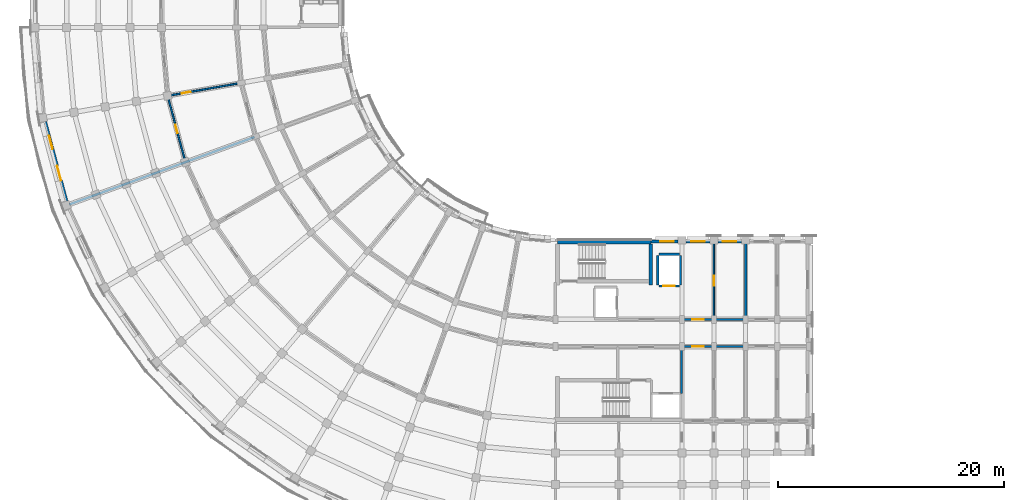
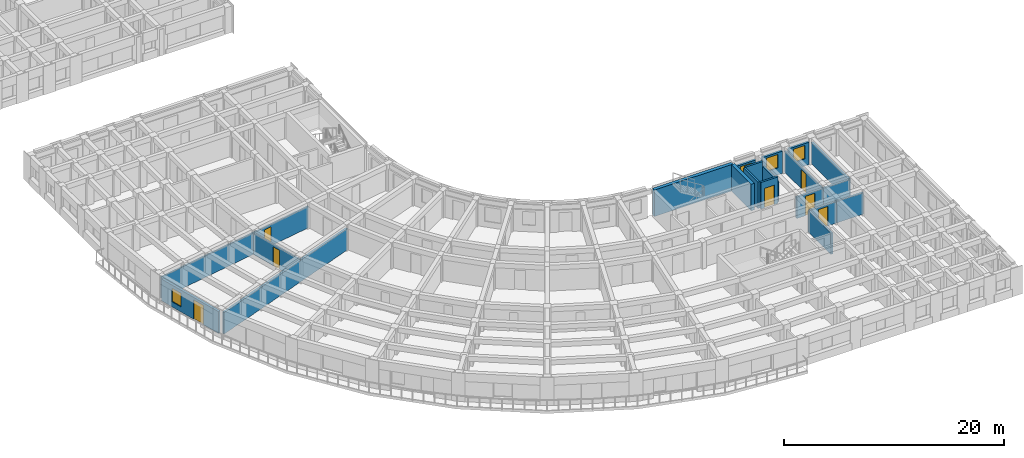
# One storey, part 18 of 57: 20 walls, 7 doors, 4 windows, 11 openings.
"""IFC4 building model written with IfcOpenShell, lengths in metres."""

import ifcopenshell
import ifcopenshell.guid

model = None  # the IFC model being written
_history = None  # IfcOwnerHistory: only IFC2X3 demands one
_inside = {}  # id of a spatial element -> (the spatial element, [elements in it])
_under = {}  # id of a project, library or spatial element -> (it, [spatial elements below it])
_declared = {}  # id of a project -> (the project, [libraries it declares])
_typed = {}  # id of a type object -> (the type object, [elements of that type])
_made_of = {}  # id of a material, layer set ... -> (it, [elements and type objects made of it])


def new_model(schema):
    """Start an empty IFC model of exactly this schema.

    Asked for "IFC4X3", IfcOpenShell would pick the latest addendum, in which some entities
    have other attributes; the version numbers below select the first issue.
    IFC2X3 requires an IfcOwnerHistory on every rooted entity: one is made here for all.
    """
    global model, _history
    if schema == "IFC4X3":
        model = ifcopenshell.file(schema_version=(4, 3, 0, 0))
    else:
        model = ifcopenshell.file(schema=schema)
    _inside.clear()
    _under.clear()
    _declared.clear()
    _typed.clear()
    _made_of.clear()
    _history = None
    if model.schema == "IFC2X3":
        org = make("IfcOrganization", Name="unknown")
        user = make(
            "IfcPersonAndOrganization",
            ThePerson=make("IfcPerson", FamilyName="unknown"),
            TheOrganization=org,
        )
        app = make(
            "IfcApplication",
            ApplicationDeveloper=org,
            Version="unknown",
            ApplicationFullName="unknown",
            ApplicationIdentifier="unknown",
        )
        _history = make(
            "IfcOwnerHistory",
            OwningUser=user,
            OwningApplication=app,
            ChangeAction="ADDED",
            CreationDate=0,
        )
    return model


def make(cls, **values):
    """One entity of the class cls with the attributes given. An attribute that is None is left unset."""
    return model.create_entity(
        cls, **{name: value for name, value in values.items() if value is not None}
    )


def rooted(cls, **values):
    """An entity with a GlobalId (a new one), such as an element, a storey or a relation."""
    return make(cls, GlobalId=ifcopenshell.guid.new(), OwnerHistory=_history, **values)


def si_unit(unit_type, name, prefix=None):
    """IfcSIUnit, for example si_unit("LENGTHUNIT", "METRE", prefix="MILLI")."""
    return make("IfcSIUnit", UnitType=unit_type, Prefix=prefix, Name=name)


def assignment(units):
    """IfcUnitAssignment: the units of a project."""
    return None if units is None else make("IfcUnitAssignment", Units=units)


def point(xyz):
    """IfcCartesianPoint."""
    return None if xyz is None else make("IfcCartesianPoint", Coordinates=xyz)


def direction(xyz):
    """IfcDirection."""
    return None if xyz is None else make("IfcDirection", DirectionRatios=xyz)


def frame(location, z_axis=None, x_axis=None):
    """IfcAxis2Placement3D, a coordinate frame: its origin and axes. An axis left out is left unset."""
    return make(
        "IfcAxis2Placement3D",
        Location=point(location),
        Axis=direction(z_axis),
        RefDirection=direction(x_axis),
    )


def frame_2d(location, x_axis=None):
    """IfcAxis2Placement2D, a coordinate frame in the plane: its origin and x axis."""
    return make(
        "IfcAxis2Placement2D", Location=point(location), RefDirection=direction(x_axis)
    )


def origin():
    """The frame at (0, 0, 0) with its axes left unset."""
    return frame((0.0, 0.0, 0.0))


def place(relative_to, where):
    """IfcLocalPlacement: puts the frame where relative to a parent placement (None: the world)."""
    return make(
        "IfcLocalPlacement", PlacementRelTo=relative_to, RelativePlacement=where
    )


def context(
    kind, dimensions, precision=None, world=None, true_north=None, identifier=None
):
    """IfcGeometricRepresentationContext, for example the 3D "Model" context."""
    return make(
        "IfcGeometricRepresentationContext",
        ContextIdentifier=identifier,
        ContextType=kind,
        CoordinateSpaceDimension=dimensions,
        Precision=precision,
        WorldCoordinateSystem=world,
        TrueNorth=true_north,
    )


def subcontext(parent, identifier, kind, view, scale=None):
    """IfcGeometricRepresentationSubContext, for example "Body" below "Model"."""
    return make(
        "IfcGeometricRepresentationSubContext",
        ContextIdentifier=identifier,
        ContextType=kind,
        ParentContext=parent,
        TargetScale=scale,
        TargetView=view,
    )


def project(units=None, contexts=None):
    """IfcProject with its units and contexts."""
    return rooted(
        "IfcProject",
        Name="project",
        RepresentationContexts=contexts,
        UnitsInContext=assignment(units),
    )


def spatial(cls, under=None, at=None, **own):
    """A site, building, storey or space (cls), placed at a placement, below another one or the project."""
    s = rooted(cls, ObjectPlacement=at, **own)
    if under is not None:
        _under.setdefault(under.id(), (under, []))[1].append(s)
    return s


def profile(cls, at=None, kind="AREA", **sizes):
    """A parametric profile (cls). Its sizes go by their IFC names, for example OverallWidth=200.0."""
    return make(cls, ProfileType=kind, Position=at, **sizes)


def rectangle(**sizes):
    """IfcRectangleProfileDef."""
    return profile("IfcRectangleProfileDef", **sizes)


def extrude(swept, where, along, depth):
    """IfcExtrudedAreaSolid: the profile swept, set in the frame where, extruded along a direction by depth."""
    return make(
        "IfcExtrudedAreaSolid",
        SweptArea=swept,
        Position=where,
        ExtrudedDirection=direction(along),
        Depth=depth,
    )


def shape(context_of_items, identifier, shape_type, items):
    """IfcShapeRepresentation: the items that make up one representation, for example the "Body"."""
    return make(
        "IfcShapeRepresentation",
        ContextOfItems=context_of_items,
        RepresentationIdentifier=identifier,
        RepresentationType=shape_type,
        Items=items,
    )


def material(Name=None, Category=None):
    """IfcMaterial."""
    return make("IfcMaterial", Name=Name, Category=Category)


def layer(
    of_material, thickness, ventilated=None, Name=None, Category=None, Priority=None
):
    """IfcMaterialLayer: one layer of a wall or slab, of a material (None: an air gap)."""
    return make(
        "IfcMaterialLayer",
        Material=of_material,
        LayerThickness=thickness,
        IsVentilated=ventilated,
        Name=Name,
        Category=Category,
        Priority=Priority,
    )


def layer_set(layers, Name=None):
    """IfcMaterialLayerSet."""
    return make("IfcMaterialLayerSet", MaterialLayers=layers, LayerSetName=Name)


def made_of(thing, what):
    """Note that an element or type object is made of a material, layer set ...; save() writes the relation."""
    if what is not None:
        _made_of.setdefault(what.id(), (what, []))[1].append(thing)
    return thing


def type_object(cls, material=None, **own):
    """A type object (cls), such as IfcWallType, which elements share."""
    return made_of(rooted(cls, **own), material)


def element(
    cls,
    number,
    at=None,
    inside=None,
    cuts=None,
    type_object=None,
    material=None,
    context=None,
    identifier="Body",
    shape_type=None,
    held_by="IfcProductDefinitionShape",
    body=None,
    shapes=None,
    **own,
):
    """One element of the class cls, such as IfcWall. Its Tag is "e" and its number.

    at: its placement. inside: the storey or other place that contains it. cuts: it is an
    opening in that element (IfcRelVoidsElement). A single representation is given by context,
    identifier, shape_type and body (its items); several are given by shapes. held_by: the class
    of the entity that holds the representations. save() writes the other relations.
    """
    e = rooted(cls, Tag="e%d" % number, ObjectPlacement=at, **own)
    if body is not None:
        shapes = [shape(context, identifier, shape_type, body)]
    if shapes is not None:
        e.Representation = make(held_by, Representations=shapes)
    if inside is not None:
        _inside.setdefault(inside.id(), (inside, []))[1].append(e)
    if cuts is not None:
        rooted(
            "IfcRelVoidsElement", RelatingBuildingElement=cuts, RelatedOpeningElement=e
        )
    if type_object is not None:
        _typed.setdefault(type_object.id(), (type_object, []))[1].append(e)
    return made_of(e, material)


def fill(opening, filler):
    """IfcRelFillsElement: the door or window that sits in an opening."""
    return rooted(
        "IfcRelFillsElement",
        RelatingOpeningElement=opening,
        RelatedBuildingElement=filler,
    )


def aggregate(whole, parts):
    """IfcRelAggregates: a whole, such as a stair, and the parts it consists of."""
    return rooted("IfcRelAggregates", RelatingObject=whole, RelatedObjects=parts)


def save(model, path):
    """Write the relations noted so far, then the file.

    IfcRelAggregates (storeys below a building ...), IfcRelContainedInSpatialStructure (elements
    in a storey), IfcRelDefinesByType, IfcRelAssociatesMaterial and IfcRelDeclares: one each for
    every whole, place, type object, material and project.
    """
    for whole, parts in _under.values():
        aggregate(whole, parts)
    for where, things in _inside.values():
        rooted(
            "IfcRelContainedInSpatialStructure",
            RelatedElements=things,
            RelatingStructure=where,
        )
    for kind, things in _typed.values():
        rooted("IfcRelDefinesByType", RelatedObjects=things, RelatingType=kind)
    for what, things in _made_of.values():
        rooted("IfcRelAssociatesMaterial", RelatedObjects=things, RelatingMaterial=what)
    for by, libraries in _declared.values():
        rooted("IfcRelDeclares", RelatingContext=by, RelatedDefinitions=libraries)
    model.write(path)


model = new_model("IFC4")

# Units and contexts
model_context = context("Model", 3, precision=1e-05, world=origin(), true_north=direction((0.0, 1.0)))
body_context = subcontext(model_context, "Body", "Model", "MODEL_VIEW")
ifc_project = project(units=[si_unit("LENGTHUNIT", "METRE"), si_unit("AREAUNIT", "SQUARE_METRE"), si_unit("VOLUMEUNIT", "CUBIC_METRE"), si_unit("PLANEANGLEUNIT", "RADIAN"), si_unit("MASSUNIT", "GRAM", prefix="KILO")], contexts=[model_context])

# Site, building, storey
site_placement = place(None, origin())
site = spatial("IfcSite", under=ifc_project, at=site_placement, CompositionType="ELEMENT")
building_placement = place(site_placement, origin())
building = spatial("IfcBuilding", under=site, at=building_placement, Name="Kiranvali Square Residences", CompositionType="ELEMENT")
storey_placement = place(building_placement, frame((0.0, 0.0, 18.14990234375)))
storey = spatial("IfcBuildingStorey", under=building, at=storey_placement, Name="L05", CompositionType="ELEMENT", Elevation=18.14990234375)

# Wall, opening, door
ifc_material_1 = material(Name="Autoclaved aerated concrete blockwork masonry", Category="masonry")
ifc_layer_1 = layer(ifc_material_1, 0.199951171875)
ifc_layer_set_1 = layer_set([ifc_layer_1], Name="Autoclaved aerated concrete blockwork masonry")
wall_type_1 = type_object("IfcWallType", Name="WL-COR-200", PredefinedType="STANDARD", material=ifc_layer_set_1)
wall_1_placement = place(storey_placement, frame((59.39990234375, 22.39990234375, 0.0), z_axis=(0.0, 0.0, 1.0), x_axis=(1.0, 0.0, 0.0)))
wall_1 = element("IfcWall", 1, at=wall_1_placement, inside=storey, type_object=wall_type_1, Name="L05 architectural wall WL-L05-C-A1CI-0", PredefinedType="STANDARD", context=body_context, shape_type="SweptSolid", body=[
    extrude(rectangle(XDim=2.800048828125, YDim=0.199951171875, at=frame_2d((1.39990234375, 0.0))), origin(), (0.0, 0.0, 1.0), 2.3720703125),
])
opening_1_placement = place(wall_1_placement, frame((0.89990234375, 0.0, 0.0)))
opening_1 = element("IfcOpeningElement", 2, at=opening_1_placement, cuts=wall_1, Name="Opening FD-APT-60", PredefinedType="OPENING", context=body_context, shape_type="SweptSolid", body=[
    extrude(rectangle(XDim=1.0, YDim=2.14990234375, at=frame_2d((0.5, 1.074951171875))), frame((0.0, 0.10986328125, 0.0), z_axis=(0.0, -1.0, 0.0), x_axis=(1.0, 0.0, 0.0)), (0.0, 0.0, 1.0), 0.219970703125),
])
ifc_material_2 = material(Name="Fire-rated acoustic hardwood and mineral-core door assembly", Category="wood")
door_type_1 = type_object("IfcDoorType", Name="DR-APT-1000", OperationType="NOTDEFINED", PredefinedType="DOOR", material=ifc_material_2)
door_1_placement = place(opening_1_placement, frame((1.0, 0.0, 0.0), z_axis=(0.0, 0.0, 1.0), x_axis=(-1.0, 0.0, 0.0)))
door_1 = element("IfcDoor", 3, at=door_1_placement, inside=storey, type_object=door_type_1, Name="L05 door DR-L05-2032 (DR-APT-1000)", OperationType="SINGLE_SWING_RIGHT", OverallHeight=2.14990234375, OverallWidth=1.0, PredefinedType="DOOR", context=body_context, shape_type="SweptSolid", body=[
    extrude(rectangle(XDim=1.0, YDim=2.14990234375, at=frame_2d((0.5, 1.074951171875))), frame((0.0, 0.02490234375, 0.0), z_axis=(0.0, -1.0, 0.0), x_axis=(1.0, 0.0, 0.0)), (0.0, 0.0, 1.0), 0.050048828125),
])
fill(opening_1, door_1)

wall_2_placement = place(storey_placement, frame((59.39990234375, 20.0, 0.0), z_axis=(0.0, 0.0, 1.0), x_axis=(1.0, 0.0, 0.0)))
wall_2 = element("IfcWall", 4, at=wall_2_placement, inside=storey, type_object=wall_type_1, Name="L05 architectural wall WL-L05-C-A1CO-0", PredefinedType="STANDARD", context=body_context, shape_type="SweptSolid", body=[
    extrude(rectangle(XDim=2.800048828125, YDim=0.199951171875, at=frame_2d((1.39990234375, 0.0))), origin(), (0.0, 0.0, 1.0), 2.3720703125),
])
opening_2_placement = place(wall_2_placement, frame((0.89990234375, 0.0, 0.0)))
opening_2 = element("IfcOpeningElement", 5, at=opening_2_placement, cuts=wall_2, Name="Opening FD-APT-60", PredefinedType="OPENING", context=body_context, shape_type="SweptSolid", body=[
    extrude(rectangle(XDim=1.0, YDim=2.14990234375, at=frame_2d((0.5, 1.074951171875))), frame((0.0, 0.10986328125, 0.0), z_axis=(0.0, -1.0, 0.0), x_axis=(1.0, 0.0, 0.0)), (0.0, 0.0, 1.0), 0.219970703125),
])
door_2_placement = place(opening_2_placement, frame((1.0, 0.0, 0.0), z_axis=(0.0, 0.0, 1.0), x_axis=(-1.0, 0.0, 0.0)))
door_2 = element("IfcDoor", 6, at=door_2_placement, inside=storey, type_object=door_type_1, Name="L05 door DR-L05-2034 (DR-APT-1000)", OperationType="SINGLE_SWING_RIGHT", OverallHeight=2.14990234375, OverallWidth=1.0, PredefinedType="DOOR", context=body_context, shape_type="SweptSolid", body=[
    extrude(rectangle(XDim=1.0, YDim=2.14990234375, at=frame_2d((0.5, 1.074951171875))), frame((0.0, 0.02490234375, 0.0), z_axis=(0.0, -1.0, 0.0), x_axis=(1.0, 0.0, 0.0)), (0.0, 0.0, 1.0), 0.050048828125),
])
fill(opening_2, door_2)

# Walls
for number, where, z_axis, x_axis, name in (
    (7, (62.199951171875, 22.39990234375, 0.0), (0.0, 0.0, 1.0), (1.0, 0.0, 0.0), "L05 architectural wall WL-L05-C-A1CI-1"),
    (8, (62.199951171875, 20.0, 0.0), (0.0, 0.0, 1.0), (1.0, 0.0, 0.0), "L05 architectural wall WL-L05-C-A1CO-1"),
):
    element("IfcWall", number, at=place(storey_placement, frame(where, z_axis=z_axis, x_axis=x_axis)), inside=storey, type_object=wall_type_1, Name=name, PredefinedType="STANDARD", context=body_context, shape_type="SweptSolid", body=[
        extrude(rectangle(XDim=2.800048828125, YDim=0.199951171875, at=frame_2d((1.39990234375, 0.0))), origin(), (0.0, 0.0, 1.0), 2.3720703125),
    ])
ifc_layer_2 = layer(ifc_material_1, 0.219970703125)
ifc_layer_set_2 = layer_set([ifc_layer_2], Name="Autoclaved aerated concrete blockwork masonry")
wall_type_2 = type_object("IfcWallType", Name="WL-DEM-220", PredefinedType="STANDARD", material=ifc_layer_set_2)
wall_3_placement = place(storey_placement, frame((65.0, 29.199951171875, 0.0), z_axis=(0.0, 0.0, 1.0), x_axis=(0.0, -1.0, 0.0)))
element("IfcWall", 9, at=wall_3_placement, inside=storey, type_object=wall_type_2, Name="L05 architectural wall WL-L05-C-A1TI-2", PredefinedType="STANDARD", context=body_context, shape_type="SweptSolid", body=[
    extrude(rectangle(XDim=6.75, YDim=0.219970703125, at=frame_2d((3.375, 0.0))), origin(), (0.0, 0.0, 1.0), 2.3720703125),
])
wall_4_placement = place(storey_placement, frame((21.606689453125, 38.520751953125, 0.0), z_axis=(0.0, 0.0, 1.0), x_axis=(-0.939691901159, -0.342022120477, 0.0)))
element("IfcWall", 10, at=wall_4_placement, inside=storey, type_object=wall_type_2, Name="L05 architectural wall WL-L05-C-RADO-7", PredefinedType="STANDARD", context=body_context, shape_type="SweptSolid", body=[
    extrude(rectangle(XDim=17.419921875, YDim=0.219970703125, at=frame_2d((8.7099609375, 0.0))), origin(), (0.0, 0.0, 1.0), 2.3720703125),
])

# Wall, openings, door, window
ifc_material_3 = material(Name="Breathable lime-rendered clay brick masonry", Category="masonry")
ifc_layer_3 = layer(ifc_material_3, 0.25)
ifc_layer_set_3 = layer_set([ifc_layer_3], Name="Breathable lime-rendered clay brick masonry")
wall_type_3 = type_object("IfcWallType", Name="WL-EXT-250", PredefinedType="STANDARD", material=ifc_layer_set_3)
wall_5_placement = place(storey_placement, frame((4.99755859375, 32.862548828125, 0.0), z_axis=(0.0, 0.0, 1.0), x_axis=(-0.258802140196, 0.965930355787, 0.0)))
wall_5 = element("IfcWall", 11, at=wall_5_placement, inside=storey, type_object=wall_type_3, Name="L05 exterior wall C-L05-CRV-07", PredefinedType="STANDARD", context=body_context, shape_type="SweptSolid", body=[
    extrude(rectangle(XDim=7.2666015625, YDim=0.25, at=frame_2d((3.63330078125, 0.0))), origin(), (0.0, 0.0, 1.0), 2.412109375),
])
opening_3_placement = place(wall_5_placement, frame((4.765625, 0.0, 0.56201171875)))
opening_3 = element("IfcOpeningElement", 12, at=opening_3_placement, cuts=wall_5, Name="Opening W-06", PredefinedType="OPENING", context=body_context, shape_type="SweptSolid", body=[
    extrude(rectangle(XDim=1.199951171875, YDim=1.5, at=frame_2d((0.60009765625, 0.75))), frame((0.0, 0.135009765625, 0.0), z_axis=(0.0, -1.0, 0.0), x_axis=(1.0, 0.0, 0.0)), (0.0, 0.0, 1.0), 0.27001953125),
])
opening_4_placement = place(wall_5_placement, frame((1.88330078125, 0.0, 0.0)))
opening_4 = element("IfcOpeningElement", 13, at=opening_4_placement, cuts=wall_5, Name="Opening ED-BAL-3", PredefinedType="OPENING", context=body_context, shape_type="SweptSolid", body=[
    extrude(rectangle(XDim=1.320068359375, YDim=2.14990234375, at=frame_2d((0.66015625, 1.074951171875))), frame((0.0, 0.135009765625, 0.0), z_axis=(0.0, -1.0, 0.0), x_axis=(1.0, 0.0, 0.0)), (0.0, 0.0, 1.0), 0.27001953125),
])
ifc_material_4 = material(Name="Anodised bronze aluminium framing", Category="aluminium")
door_type_2 = type_object("IfcDoorType", Name="DR-BAL-1320", OperationType="NOTDEFINED", PredefinedType="DOOR", material=ifc_material_4)
door_3_placement = place(opening_4_placement, origin())
door_3 = element("IfcDoor", 14, at=door_3_placement, inside=storey, type_object=door_type_2, Name="L05 balcony terrace door", OperationType="SINGLE_SWING_LEFT", OverallHeight=2.14990234375, OverallWidth=1.320068359375, PredefinedType="DOOR", context=body_context, shape_type="SweptSolid", body=[
    extrude(rectangle(XDim=1.320068359375, YDim=2.14990234375, at=frame_2d((0.66015625, 1.074951171875))), frame((0.0, 0.02490234375, 0.0), z_axis=(0.0, -1.0, 0.0), x_axis=(1.0, 0.0, 0.0)), (0.0, 0.0, 1.0), 0.050048828125),
])
fill(opening_4, door_3)
ifc_material_5 = material(Name="Solar-control low-e double glazing", Category="glass")
window_type = type_object("IfcWindowType", Name="WIN-RES-1200x1500", PartitioningType="SINGLE_PANEL", PredefinedType="WINDOW", material=ifc_material_5)
window_1_placement = place(opening_3_placement, origin())
window_1 = element("IfcWindow", 15, at=window_1_placement, inside=storey, type_object=window_type, Name="L05 recessed window C-L05-CRV-07", OverallHeight=1.5, OverallWidth=1.199951171875, PartitioningType="SINGLE_PANEL", PredefinedType="WINDOW", context=body_context, shape_type="SweptSolid", body=[
    extrude(rectangle(XDim=1.199951171875, YDim=1.5, at=frame_2d((0.60009765625, 0.75))), frame((0.0, 0.030029296875, 0.0), z_axis=(0.0, -1.0, 0.0), x_axis=(1.0, 0.0, 0.0)), (0.0, 0.0, 1.0), 0.06005859375),
])
fill(opening_3, window_1)

# Wall, opening, window
wall_6_placement = place(storey_placement, frame((56.62841796875, 29.27490234375, 0.0), z_axis=(0.0, 0.0, 1.0), x_axis=(1.0, 0.0, 0.0)))
wall_6 = element("IfcWall", 16, at=wall_6_placement, inside=storey, type_object=wall_type_3, Name="L05 exterior wall C-L05-A1IN-0", PredefinedType="STANDARD", context=body_context, shape_type="SweptSolid", body=[
    extrude(rectangle(XDim=2.421630859375, YDim=0.25, at=frame_2d((1.2109375, 0.0))), origin(), (0.0, 0.0, 1.0), 2.47216796875),
])
opening_5_placement = place(wall_6_placement, frame((0.821533203125, 0.0, 0.77197265625)))
opening_5 = element("IfcOpeningElement", 17, at=opening_5_placement, cuts=wall_6, Name="Opening W-06", PredefinedType="OPENING", context=body_context, shape_type="SweptSolid", body=[
    extrude(rectangle(XDim=1.199951171875, YDim=1.5, at=frame_2d((0.60009765625, 0.75))), frame((0.0, 0.135009765625, 0.0), z_axis=(0.0, -1.0, 0.0), x_axis=(1.0, 0.0, 0.0)), (0.0, 0.0, 1.0), 0.27001953125),
])
window_2_placement = place(opening_5_placement, origin())
window_2 = element("IfcWindow", 18, at=window_2_placement, inside=storey, type_object=window_type, Name="L05 recessed window C-L05-A1IN-0", OverallHeight=1.5, OverallWidth=1.199951171875, PartitioningType="SINGLE_PANEL", PredefinedType="WINDOW", context=body_context, shape_type="SweptSolid", body=[
    extrude(rectangle(XDim=1.199951171875, YDim=1.5, at=frame_2d((0.60009765625, 0.75))), frame((0.0, 0.030029296875, 0.0), z_axis=(0.0, -1.0, 0.0), x_axis=(1.0, 0.0, 0.0)), (0.0, 0.0, 1.0), 0.06005859375),
])
fill(opening_5, window_2)

wall_7_placement = place(storey_placement, frame((59.75341796875, 29.27490234375, 0.0), z_axis=(0.0, 0.0, 1.0), x_axis=(1.0, 0.0, 0.0)))
wall_7 = element("IfcWall", 19, at=wall_7_placement, inside=storey, type_object=wall_type_3, Name="L05 exterior wall C-L05-A1I-0", PredefinedType="STANDARD", context=body_context, shape_type="SweptSolid", body=[
    extrude(rectangle(XDim=2.093017578125, YDim=0.25, at=frame_2d((1.04638671875, 0.0))), origin(), (0.0, 0.0, 1.0), 2.47216796875),
])
opening_6_placement = place(wall_7_placement, frame((0.446533203125, 0.0, 0.77197265625)))
opening_6 = element("IfcOpeningElement", 20, at=opening_6_placement, cuts=wall_7, Name="Opening W-06", PredefinedType="OPENING", context=body_context, shape_type="SweptSolid", body=[
    extrude(rectangle(XDim=1.199951171875, YDim=1.5, at=frame_2d((0.60009765625, 0.75))), frame((0.0, 0.135009765625, 0.0), z_axis=(0.0, -1.0, 0.0), x_axis=(1.0, 0.0, 0.0)), (0.0, 0.0, 1.0), 0.27001953125),
])
window_3_placement = place(opening_6_placement, origin())
window_3 = element("IfcWindow", 21, at=window_3_placement, inside=storey, type_object=window_type, Name="L05 recessed window C-L05-A1I-0", OverallHeight=1.5, OverallWidth=1.199951171875, PartitioningType="SINGLE_PANEL", PredefinedType="WINDOW", context=body_context, shape_type="SweptSolid", body=[
    extrude(rectangle(XDim=1.199951171875, YDim=1.5, at=frame_2d((0.60009765625, 0.75))), frame((0.0, 0.030029296875, 0.0), z_axis=(0.0, -1.0, 0.0), x_axis=(1.0, 0.0, 0.0)), (0.0, 0.0, 1.0), 0.06005859375),
])
fill(opening_6, window_3)

wall_8_placement = place(storey_placement, frame((62.553466796875, 29.27490234375, 0.0), z_axis=(0.0, 0.0, 1.0), x_axis=(1.0, 0.0, 0.0)))
wall_8 = element("IfcWall", 22, at=wall_8_placement, inside=storey, type_object=wall_type_3, Name="L05 exterior wall C-L05-A1I-1", PredefinedType="STANDARD", context=body_context, shape_type="SweptSolid", body=[
    extrude(rectangle(XDim=2.093017578125, YDim=0.25, at=frame_2d((1.04638671875, 0.0))), origin(), (0.0, 0.0, 1.0), 2.47216796875),
])
opening_7_placement = place(wall_8_placement, frame((0.446533203125, 0.0, 0.77197265625)))
opening_7 = element("IfcOpeningElement", 23, at=opening_7_placement, cuts=wall_8, Name="Opening W-06", PredefinedType="OPENING", context=body_context, shape_type="SweptSolid", body=[
    extrude(rectangle(XDim=1.199951171875, YDim=1.5, at=frame_2d((0.60009765625, 0.75))), frame((0.0, 0.135009765625, 0.0), z_axis=(0.0, -1.0, 0.0), x_axis=(1.0, 0.0, 0.0)), (0.0, 0.0, 1.0), 0.27001953125),
])
window_4_placement = place(opening_7_placement, origin())
window_4 = element("IfcWindow", 24, at=window_4_placement, inside=storey, type_object=window_type, Name="L05 recessed window C-L05-A1I-1", OverallHeight=1.5, OverallWidth=1.199951171875, PartitioningType="SINGLE_PANEL", PredefinedType="WINDOW", context=body_context, shape_type="SweptSolid", body=[
    extrude(rectangle(XDim=1.199951171875, YDim=1.5, at=frame_2d((0.60009765625, 0.75))), frame((0.0, 0.030029296875, 0.0), z_axis=(0.0, -1.0, 0.0), x_axis=(1.0, 0.0, 0.0)), (0.0, 0.0, 1.0), 0.06005859375),
])
fill(opening_7, window_4)

# Wall
ifc_layer_4 = layer(ifc_material_1, 0.199951171875)
ifc_layer_set_4 = layer_set([ifc_layer_4], Name="Autoclaved aerated concrete blockwork masonry")
wall_type_4 = type_object("IfcWallType", Name="WL-FFL-200", PredefinedType="STANDARD", material=ifc_layer_set_4)
wall_9_placement = place(storey_placement, frame((59.35009765625, 19.97998046875, 0.0), z_axis=(0.0, 0.0, 1.0), x_axis=(0.0, -1.0, 0.0)))
element("IfcWall", 25, at=wall_9_placement, inside=storey, type_object=wall_type_4, Name="L05 architectural wall WL-L05-C-FF-END", PredefinedType="STANDARD", context=body_context, shape_type="SweptSolid", body=[
    extrude(rectangle(XDim=4.1298828125, YDim=0.199951171875, at=frame_2d((2.06494140625, 0.0))), origin(), (0.0, 0.0, 1.0), 2.3720703125),
])

# Wall, opening, door
ifc_material_6 = material(Name="Acoustic gypsum board drylined partition", Category="gypsum")
ifc_layer_5 = layer(ifc_material_6, 0.14990234375)
ifc_layer_set_5 = layer_set([ifc_layer_5], Name="Acoustic gypsum board drylined partition")
wall_type_5 = type_object("IfcWallType", Name="WL-PRT-150", PredefinedType="PARTITIONING", material=ifc_layer_set_5)
wall_10_placement = place(storey_placement, frame((62.199951171875, 29.199951171875, 0.0), z_axis=(0.0, 0.0, 1.0), x_axis=(0.0, -1.0, 0.0)))
wall_10 = element("IfcWall", 26, at=wall_10_placement, inside=storey, type_object=wall_type_5, Name="L05 architectural wall WL-L05-C-A1TI-1", PredefinedType="PARTITIONING", context=body_context, shape_type="SweptSolid", body=[
    extrude(rectangle(XDim=6.75, YDim=0.14990234375, at=frame_2d((3.375, 0.0))), origin(), (0.0, 0.0, 1.0), 2.3720703125),
])
opening_8_placement = place(wall_10_placement, frame((2.925048828125, 0.0, 0.0)))
opening_8 = element("IfcOpeningElement", 27, at=opening_8_placement, cuts=wall_10, Name="Opening ID-1", PredefinedType="OPENING", context=body_context, shape_type="SweptSolid", body=[
    extrude(rectangle(XDim=0.89990234375, YDim=2.10009765625, at=frame_2d((0.449951171875, 1.050048828125))), frame((0.0, 0.0849609375, 0.0), z_axis=(0.0, -1.0, 0.0), x_axis=(1.0, 0.0, 0.0)), (0.0, 0.0, 1.0), 0.169921875),
])
ifc_material_7 = material(Name="Solid seasoned teak hardwood joinery", Category="wood")
door_type_3 = type_object("IfcDoorType", Name="DR-INT-900", OperationType="NOTDEFINED", PredefinedType="DOOR", material=ifc_material_7)
door_4_placement = place(opening_8_placement, origin())
door_4 = element("IfcDoor", 28, at=door_4_placement, inside=storey, type_object=door_type_3, Name="L05 door DR-L05-2041 (DR-INT-900)", OperationType="SINGLE_SWING_LEFT", OverallHeight=2.10009765625, OverallWidth=0.89990234375, PredefinedType="DOOR", context=body_context, shape_type="SweptSolid", body=[
    extrude(rectangle(XDim=0.89990234375, YDim=2.10009765625, at=frame_2d((0.449951171875, 1.050048828125))), frame((0.0, 0.02490234375, 0.0), z_axis=(0.0, -1.0, 0.0), x_axis=(1.0, 0.0, 0.0)), (0.0, 0.0, 1.0), 0.050048828125),
])
fill(opening_8, door_4)

wall_11_placement = place(storey_placement, frame((20.329833984375, 43.28564453125, 0.0), z_axis=(0.0, 0.0, 1.0), x_axis=(-0.984808098809, -0.173646216546, 0.0)))
wall_11 = element("IfcWall", 29, at=wall_11_placement, inside=storey, type_object=wall_type_5, Name="L05 architectural wall WL-L05-C-RADO-8", PredefinedType="PARTITIONING", context=body_context, shape_type="SweptSolid", body=[
    extrude(rectangle(XDim=17.419921875, YDim=0.14990234375, at=frame_2d((8.7099609375, 0.0))), origin(), (0.0, 0.0, 1.0), 2.3720703125),
])
opening_9_placement = place(wall_11_placement, frame((4.44970703125, 0.0, 0.0)))
opening_9 = element("IfcOpeningElement", 30, at=opening_9_placement, cuts=wall_11, Name="Opening ID-WET", PredefinedType="OPENING", context=body_context, shape_type="SweptSolid", body=[
    extrude(rectangle(XDim=0.800048828125, YDim=2.10009765625, at=frame_2d((0.39990234375, 1.050048828125))), frame((0.0, 0.0849609375, 0.0), z_axis=(0.0, -1.0, 0.0), x_axis=(1.0, 0.0, 0.0)), (0.0, 0.0, 1.0), 0.169921875),
])
door_type_4 = type_object("IfcDoorType", Name="DR-WET-800", OperationType="NOTDEFINED", PredefinedType="DOOR", material=ifc_material_7)
door_5_placement = place(opening_9_placement, frame((0.800048828125, 0.0, 0.0), z_axis=(0.0, 0.0, 1.0), x_axis=(-1.0, 0.0, 0.0)))
door_5 = element("IfcDoor", 31, at=door_5_placement, inside=storey, type_object=door_type_4, Name="L05 door DR-L05-2056 (DR-WET-800)", OperationType="SINGLE_SWING_RIGHT", OverallHeight=2.10009765625, OverallWidth=0.800048828125, PredefinedType="DOOR", context=body_context, shape_type="SweptSolid", body=[
    extrude(rectangle(XDim=0.800048828125, YDim=2.10009765625, at=frame_2d((0.39990234375, 1.050048828125))), frame((0.0, 0.02490234375, 0.0), z_axis=(0.0, -1.0, 0.0), x_axis=(1.0, 0.0, 0.0)), (0.0, 0.0, 1.0), 0.050048828125),
])
fill(opening_9, door_5)

# Walls
ifc_layer_6 = layer(ifc_material_1, 0.199951171875)
ifc_layer_set_6 = layer_set([ifc_layer_6], Name="Autoclaved aerated concrete blockwork masonry")
wall_type_6 = type_object("IfcWallType", Name="WL-SHF-200", PredefinedType="STANDARD", material=ifc_layer_set_6)
wall_12_placement = place(storey_placement, frame((57.25, 28.050048828125, 0.0), z_axis=(0.0, 0.0, 1.0), x_axis=(0.0, -1.0, 0.0)))
element("IfcWall", 32, at=wall_12_placement, inside=storey, type_object=wall_type_6, Name="L05 architectural wall WL-L05-C-LP1-S1", PredefinedType="STANDARD", context=body_context, shape_type="SweptSolid", body=[
    extrude(rectangle(XDim=2.60009765625, YDim=0.199951171875, at=frame_2d((1.300048828125, 0.0))), origin(), (0.0, 0.0, 1.0), 2.93017578125),
])
wall_13_placement = place(storey_placement, frame((59.25, 28.050048828125, 0.0), z_axis=(0.0, 0.0, 1.0), x_axis=(0.0, -1.0, 0.0)))
element("IfcWall", 33, at=wall_13_placement, inside=storey, type_object=wall_type_6, Name="L05 architectural wall WL-L05-C-LP1-B", PredefinedType="STANDARD", context=body_context, shape_type="SweptSolid", body=[
    extrude(rectangle(XDim=2.60009765625, YDim=0.199951171875, at=frame_2d((1.300048828125, 0.0))), origin(), (0.0, 0.0, 1.0), 2.3720703125),
])
wall_14_placement = place(storey_placement, frame((57.35009765625, 28.14990234375, 0.0), z_axis=(0.0, 0.0, 1.0), x_axis=(1.0, 0.0, 0.0)))
element("IfcWall", 34, at=wall_14_placement, inside=storey, type_object=wall_type_6, Name="L05 architectural wall WL-L05-C-LP1-S2", PredefinedType="STANDARD", context=body_context, shape_type="SweptSolid", body=[
    extrude(rectangle(XDim=1.7998046875, YDim=0.199951171875, at=frame_2d((0.89990234375, 0.0))), origin(), (0.0, 0.0, 1.0), 2.93017578125),
])

# Wall, opening, door
wall_15_placement = place(storey_placement, frame((57.35009765625, 25.35009765625, 0.0), z_axis=(0.0, 0.0, 1.0), x_axis=(1.0, 0.0, 0.0)))
wall_15 = element("IfcWall", 35, at=wall_15_placement, inside=storey, type_object=wall_type_6, Name="L05 architectural wall WL-L05-C-LP1-F", PredefinedType="STANDARD", context=body_context, shape_type="SweptSolid", body=[
    extrude(rectangle(XDim=1.7998046875, YDim=0.199951171875, at=frame_2d((0.89990234375, 0.0))), origin(), (0.0, 0.0, 1.0), 2.93017578125),
])
opening_10_placement = place(wall_15_placement, frame((0.389892578125, 0.0, 0.0)))
opening_10 = element("IfcOpeningElement", 36, at=opening_10_placement, cuts=wall_15, Name="Opening LD-PAX-100", PredefinedType="OPENING", context=body_context, shape_type="SweptSolid", body=[
    extrude(rectangle(XDim=1.02001953125, YDim=2.14990234375, at=frame_2d((0.510009765625, 1.074951171875))), frame((0.0, 0.10986328125, 0.0), z_axis=(0.0, -1.0, 0.0), x_axis=(1.0, 0.0, 0.0)), (0.0, 0.0, 1.0), 0.219970703125),
])
door_type_5 = type_object("IfcDoorType", Name="DR-LIFT-1000", OperationType="SLIDING_TO_RIGHT", PredefinedType="DOOR", material=ifc_material_2)
door_6_placement = place(opening_10_placement, origin())
door_6 = element("IfcDoor", 37, at=door_6_placement, inside=storey, type_object=door_type_5, Name="L05 door DR-L05-2026 (DR-LIFT-1000)", OperationType="SLIDING_TO_RIGHT", OverallHeight=2.14990234375, OverallWidth=1.02001953125, PredefinedType="DOOR", context=body_context, shape_type="SweptSolid", body=[
    extrude(rectangle(XDim=1.02001953125, YDim=2.14990234375, at=frame_2d((0.510009765625, 1.074951171875))), frame((0.0, 0.02490234375, 0.0), z_axis=(0.0, -1.0, 0.0), x_axis=(1.0, 0.0, 0.0)), (0.0, 0.0, 1.0), 0.050048828125),
])
fill(opening_10, door_6)

# Walls
ifc_material_8 = material(Name="Concrete M50 (50 MPa)", Category="concrete")
ifc_layer_7 = layer(ifc_material_8, 0.35009765625)
ifc_layer_set_7 = layer_set([ifc_layer_7], Name="Concrete M50 (50 MPa)")
wall_type_7 = type_object("IfcWallType", Name="WL-SHR-350", PredefinedType="SHEAR", material=ifc_layer_set_7)
wall_16_placement = place(storey_placement, frame((48.375, 29.22509765625, 0.0), z_axis=(0.0, 0.0, 1.0), x_axis=(1.0, 0.0, 0.0)))
element("IfcWall", 38, at=wall_16_placement, inside=storey, type_object=wall_type_7, Name="Block C core shear wall SW-C2-OUT-L05", PredefinedType="SHEAR", context=body_context, shape_type="SweptSolid", body=[
    extrude(rectangle(XDim=8.25, YDim=0.35009765625, at=frame_2d((4.125, 0.0))), origin(), (0.0, 0.0, 1.0), 2.93017578125),
])
wall_17_placement = place(storey_placement, frame((56.625, 29.050048828125, 0.0), z_axis=(0.0, 0.0, 1.0), x_axis=(0.0, -1.0, 0.0)))
element("IfcWall", 39, at=wall_17_placement, inside=storey, type_object=wall_type_7, Name="Block C core shear wall SW-C2-FAR-L05", PredefinedType="SHEAR", context=body_context, shape_type="SweptSolid", body=[
    extrude(rectangle(XDim=3.60009765625, YDim=0.35009765625, at=frame_2d((1.800048828125, 0.0))), origin(), (0.0, 0.0, 1.0), 2.93017578125),
])

# Wall, opening, door
ifc_layer_8 = layer(ifc_material_1, 0.14990234375)
ifc_layer_set_8 = layer_set([ifc_layer_8], Name="Autoclaved aerated concrete blockwork masonry")
wall_type_8 = type_object("IfcWallType", Name="WL-WET-150", PredefinedType="PLUMBINGWALL", material=ifc_layer_set_8)
wall_18_placement = place(storey_placement, frame((15.498779296875, 36.297607421875, 0.0), z_axis=(0.0, 0.0, 1.0), x_axis=(-0.258827283048, 0.965923618901, 0.0)))
wall_18 = element("IfcWall", 40, at=wall_18_placement, inside=storey, type_object=wall_type_8, Name="L05 architectural wall WL-L05-C-CWET-7", PredefinedType="PLUMBINGWALL", context=body_context, shape_type="SweptSolid", body=[
    extrude(rectangle(XDim=6.066162109375, YDim=0.14990234375, at=frame_2d((3.033203125, 0.0))), origin(), (0.0, 0.0, 1.0), 2.3720703125),
])
opening_11_placement = place(wall_18_placement, frame((2.633056640625, 0.0, 0.0)))
opening_11 = element("IfcOpeningElement", 41, at=opening_11_placement, cuts=wall_18, Name="Opening ID-WET", PredefinedType="OPENING", context=body_context, shape_type="SweptSolid", body=[
    extrude(rectangle(XDim=0.800048828125, YDim=2.10009765625, at=frame_2d((0.39990234375, 1.050048828125))), frame((0.0, 0.0849609375, 0.0), z_axis=(0.0, -1.0, 0.0), x_axis=(1.0, 0.0, 0.0)), (0.0, 0.0, 1.0), 0.169921875),
])
door_7_placement = place(opening_11_placement, frame((0.800048828125, 0.0, 0.0), z_axis=(0.0, 0.0, 1.0), x_axis=(-1.0, 0.0, 0.0)))
door_7 = element("IfcDoor", 42, at=door_7_placement, inside=storey, type_object=door_type_4, Name="L05 door DR-L05-2068 (DR-WET-800)", OperationType="SINGLE_SWING_RIGHT", OverallHeight=2.10009765625, OverallWidth=0.800048828125, PredefinedType="DOOR", context=body_context, shape_type="SweptSolid", body=[
    extrude(rectangle(XDim=0.800048828125, YDim=2.10009765625, at=frame_2d((0.39990234375, 1.050048828125))), frame((0.0, 0.02490234375, 0.0), z_axis=(0.0, -1.0, 0.0), x_axis=(1.0, 0.0, 0.0)), (0.0, 0.0, 1.0), 0.050048828125),
])
fill(opening_11, door_7)

save(model, "model.ifc")
